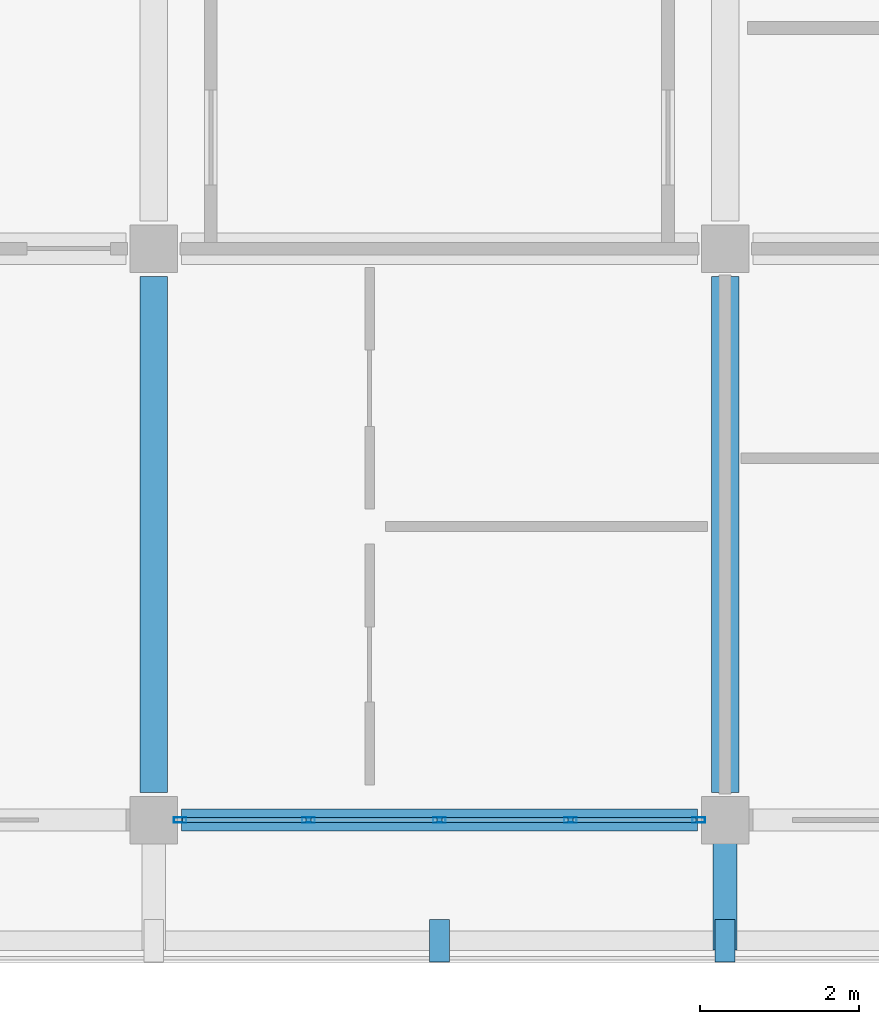
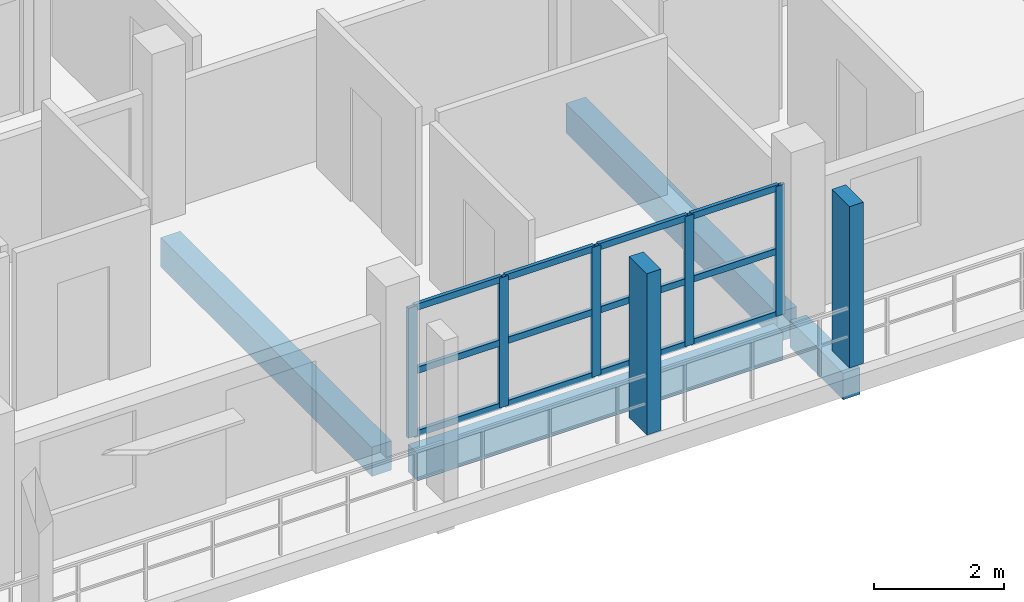
# One storey, part 20 of 157: 19 members, 4 beams, 1 element without a shape of its own.
"""IFC4 building model written with IfcOpenShell, lengths in metres."""

from ifc_helpers import new_model, si_unit, direction, frame, origin, origin_2d, place, context, subcontext, project, spatial, rectangle, hollow_rectangle, extrude, material, material_profile, profile_set, type_object, element, aggregate, save


model = new_model("IFC4")

# Units and contexts
model_context = context("Model", 3, precision=1e-05, world=origin(), true_north=direction((0.0, 1.0)))
body_context = subcontext(model_context, "Body", "Model", "MODEL_VIEW")
ifc_project = project(units=[si_unit("LENGTHUNIT", "METRE"), si_unit("AREAUNIT", "SQUARE_METRE"), si_unit("VOLUMEUNIT", "CUBIC_METRE"), si_unit("PLANEANGLEUNIT", "RADIAN"), si_unit("MASSUNIT", "GRAM", prefix="KILO")], contexts=[model_context])

# Site, building, storey
site_placement = place(None, origin())
site = spatial("IfcSite", under=ifc_project, at=site_placement, CompositionType="ELEMENT")
building_placement = place(site_placement, origin())
building = spatial("IfcBuilding", under=site, at=building_placement, Name="Suanplinth Sawtooth Commons", CompositionType="ELEMENT")
storey_placement = place(building_placement, frame((0.0, 0.0, 9.0)))
storey = spatial("IfcBuildingStorey", under=building, at=storey_placement, Name="L02", CompositionType="ELEMENT", Elevation=9.0)

# Beams
ifc_material_1 = material(Name="Precast concrete C40/50", Category="concrete")
ifc_material_profile_1 = material_profile(ifc_material_1, rectangle(XDim=0.35009765625, YDim=0.550048828125, at=origin_2d()), Name="PC-BM 350x550")
ifc_profile_set_1 = profile_set([ifc_material_profile_1], Name="Precast concrete C40/50")
beam_type_1 = type_object("IfcBeamType", Name="B-06", PredefinedType="BEAM", material=ifc_profile_set_1)
for number, where, z_axis, x_axis, name in (
    (1, (36.0, 0.35009765625, -0.52490234375), (0.0, 1.0, 0.0), (-1.0, 0.0, 0.0), "BMY-L02-D-5-0"),
    (2, (43.199951171875, 0.35009765625, -0.52490234375), (0.0, 1.0, 0.0), (-1.0, 0.0, 0.0), "BMY-L02-D-6-0"),
):
    element("IfcBeam", number, at=place(storey_placement, frame(where, z_axis=z_axis, x_axis=x_axis)), inside=storey, type_object=beam_type_1, Name=name, PredefinedType="BEAM", context=body_context, shape_type="SweptSolid", body=[
        extrude(rectangle(XDim=0.35009765625, YDim=0.550048828125, at=origin_2d()), origin(), (0.0, 0.0, 1.0), 6.5),
    ])
ifc_material_profile_2 = material_profile(ifc_material_1, rectangle(XDim=0.300048828125, YDim=0.5, at=origin_2d()), Name="PC-BM 300x500")
ifc_profile_set_2 = profile_set([ifc_material_profile_2], Name="Precast concrete C40/50")
beam_type_2 = type_object("IfcBeamType", Name="B-07", PredefinedType="BEAM", material=ifc_profile_set_2)
beam_1_placement = place(storey_placement, frame((43.199951171875, 0.0, -0.429931640625), z_axis=(0.0, -1.0, 0.0), x_axis=(1.0, 0.0, 0.0)))
element("IfcBeam", 3, at=beam_1_placement, inside=storey, type_object=beam_type_2, Name="Balcony Outrigger L02-D-S-6", PredefinedType="BEAM", context=body_context, shape_type="SweptSolid", body=[
    extrude(rectangle(XDim=0.300048828125, YDim=0.5, at=origin_2d()), origin(), (0.0, 0.0, 1.0), 1.639892578125),
])
ifc_material_profile_3 = material_profile(ifc_material_1, rectangle(XDim=0.280029296875, YDim=0.52001953125, at=origin_2d()), Name="PC-SP 280x520")
ifc_profile_set_3 = profile_set([ifc_material_profile_3], Name="Precast concrete C40/50")
beam_type_3 = type_object("IfcBeamType", Name="B-08", PredefinedType="SPANDREL", material=ifc_profile_set_3)
beam_2_placement = place(storey_placement, frame((36.35009765625, 0.0, -0.510009765625), z_axis=(1.0, 0.0, 0.0), x_axis=(0.0, 1.0, 0.0)))
element("IfcBeam", 4, at=beam_2_placement, inside=storey, type_object=beam_type_3, Name="BMX-L02-D-5-0", PredefinedType="SPANDREL", context=body_context, shape_type="SweptSolid", body=[
    extrude(rectangle(XDim=0.280029296875, YDim=0.52001953125, at=origin_2d()), origin(), (0.0, 0.0, 1.0), 6.5),
])

# Members
ifc_material_2 = material(Name="Pigmented precast concrete C40/50", Category="concrete")
ifc_material_profile_4 = material_profile(ifc_material_2, rectangle(XDim=0.25, YDim=0.5400390625, at=origin_2d()), Name="PC-FIN 250x540")
ifc_profile_set_4 = profile_set([ifc_material_profile_4], Name="Pigmented precast concrete C40/50")
member_type_1 = type_object("IfcMemberType", Name="M-11", PredefinedType="USERDEFINED", material=ifc_profile_set_4)
for number, where, z_axis, x_axis, name in (
    (5, (39.60009765625, -1.52001953125, 0.0), (0.0, 0.0, 1.0), (1.0, 0.0, 0.0), "Upright Solar Blade L02-D-S-07"),
    (6, (43.199951171875, -1.52001953125, 0.0), (0.0, 0.0, 1.0), (1.0, 0.0, 0.0), "Upright Solar Blade L02-D-S-08"),
):
    element("IfcMember", number, at=place(storey_placement, frame(where, z_axis=z_axis, x_axis=x_axis)), inside=storey, type_object=member_type_1, Name=name, ObjectType="SHADING FIN", PredefinedType="USERDEFINED", context=body_context, shape_type="SweptSolid", body=[
        extrude(rectangle(XDim=0.25, YDim=0.5400390625, at=origin_2d()), origin(), (0.0, 0.0, 1.0), 3.030029296875),
    ])

# Curtain wall, members
ifc_material_3 = material(Name="Anodized aluminium and low-E glazing", Category="aluminium")
curtain_wall_type = type_object("IfcCurtainWallType", Name="CW-06", PredefinedType="USERDEFINED", material=ifc_material_3)
curtain_wall_placement = place(storey_placement, origin())
curtain_wall = element("IfcCurtainWall", 7, at=curtain_wall_placement, inside=storey, type_object=curtain_wall_type, Name="Curtain Wall CW-L02-D-LOUNGE-5", ObjectType="CURTAIN WALL", PredefinedType="USERDEFINED")
ifc_material_4 = material(Name="Anodized aluminium 6063-T6", Category="aluminium")
ifc_material_profile_5 = material_profile(ifc_material_4, hollow_rectangle(XDim=0.06494140625, YDim=0.159912109375, WallThickness=0.00390625, at=origin_2d()), Name="ALU-MUL 65x160")
ifc_profile_set_5 = profile_set([ifc_material_profile_5], Name="Anodized aluminium 6063-T6")
member_type_2 = type_object("IfcMemberType", Name="M-13", PredefinedType="MULLION", material=ifc_profile_set_5)
member_1_placement = place(storey_placement, frame((36.33251953125, 0.0, 0.0), z_axis=(0.0, 0.0, 1.0), x_axis=(0.0, 1.0, 0.0)))
member_1 = element("IfcMember", 8, at=member_1_placement, type_object=member_type_2, Name="CW-06 mullion 1", PredefinedType="MULLION", context=body_context, shape_type="SweptSolid", body=[
    extrude(hollow_rectangle(XDim=0.06494140625, YDim=0.159912109375, WallThickness=0.00390625, at=origin_2d()), origin(), (0.0, 0.0, 1.0), 2.43994140625),
])
member_2_placement = place(storey_placement, frame((37.949951171875, 0.0, 0.0), z_axis=(0.0, 0.0, 1.0), x_axis=(0.0, 1.0, 0.0)))
member_2 = element("IfcMember", 9, at=member_2_placement, type_object=member_type_2, Name="CW-06 mullion 2", PredefinedType="MULLION", context=body_context, shape_type="SweptSolid", body=[
    extrude(hollow_rectangle(XDim=0.06494140625, YDim=0.159912109375, WallThickness=0.00390625, at=origin_2d()), origin(), (0.0, 0.0, 1.0), 2.43994140625),
])
member_3_placement = place(storey_placement, frame((39.60009765625, 0.0, 0.0), z_axis=(0.0, 0.0, 1.0), x_axis=(0.0, 1.0, 0.0)))
member_3 = element("IfcMember", 10, at=member_3_placement, type_object=member_type_2, Name="CW-06 mullion 3", PredefinedType="MULLION", context=body_context, shape_type="SweptSolid", body=[
    extrude(hollow_rectangle(XDim=0.06494140625, YDim=0.159912109375, WallThickness=0.00390625, at=origin_2d()), origin(), (0.0, 0.0, 1.0), 2.43994140625),
])
member_4_placement = place(storey_placement, frame((41.25, 0.0, 0.0), z_axis=(0.0, 0.0, 1.0), x_axis=(0.0, 1.0, 0.0)))
member_4 = element("IfcMember", 11, at=member_4_placement, type_object=member_type_2, Name="CW-06 mullion 4", PredefinedType="MULLION", context=body_context, shape_type="SweptSolid", body=[
    extrude(hollow_rectangle(XDim=0.06494140625, YDim=0.159912109375, WallThickness=0.00390625, at=origin_2d()), origin(), (0.0, 0.0, 1.0), 2.43994140625),
])
member_5_placement = place(storey_placement, frame((42.867431640625, 0.0, 0.0), z_axis=(0.0, 0.0, 1.0), x_axis=(0.0, 1.0, 0.0)))
member_5 = element("IfcMember", 12, at=member_5_placement, type_object=member_type_2, Name="CW-06 mullion 5", PredefinedType="MULLION", context=body_context, shape_type="SweptSolid", body=[
    extrude(hollow_rectangle(XDim=0.06494140625, YDim=0.159912109375, WallThickness=0.00390625, at=origin_2d()), origin(), (0.0, 0.0, 1.0), 2.43994140625),
])
ifc_material_profile_6 = material_profile(ifc_material_4, hollow_rectangle(XDim=0.06494140625, YDim=0.1201171875, WallThickness=0.00390625, at=origin_2d()), Name="ALU-TRN 65x120")
ifc_profile_set_6 = profile_set([ifc_material_profile_6], Name="Anodized aluminium 6063-T6")
member_type_3 = type_object("IfcMemberType", Name="M-15", PredefinedType="USERDEFINED", material=ifc_profile_set_6)
member_6_placement = place(storey_placement, frame((36.364990234375, 0.0, 0.032470703125), z_axis=(1.0, 0.0, 0.0), x_axis=(0.0, 1.0, 0.0)))
member_6 = element("IfcMember", 13, at=member_6_placement, type_object=member_type_3, Name="CW-06 transom 1.1", ObjectType="TRANSOM", PredefinedType="USERDEFINED", context=body_context, shape_type="SweptSolid", body=[
    extrude(hollow_rectangle(XDim=0.06494140625, YDim=0.1201171875, WallThickness=0.00390625, at=origin_2d()), origin(), (0.0, 0.0, 1.0), 1.552490234375),
])
member_7_placement = place(storey_placement, frame((36.364990234375, 0.0, 1.219970703125), z_axis=(1.0, 0.0, 0.0), x_axis=(0.0, 1.0, 0.0)))
member_7 = element("IfcMember", 14, at=member_7_placement, type_object=member_type_3, Name="CW-06 transom 1.2", ObjectType="TRANSOM", PredefinedType="USERDEFINED", context=body_context, shape_type="SweptSolid", body=[
    extrude(hollow_rectangle(XDim=0.06494140625, YDim=0.1201171875, WallThickness=0.00390625, at=origin_2d()), origin(), (0.0, 0.0, 1.0), 1.552490234375),
])
member_8_placement = place(storey_placement, frame((36.364990234375, 0.0, 2.407470703125), z_axis=(1.0, 0.0, 0.0), x_axis=(0.0, 1.0, 0.0)))
member_8 = element("IfcMember", 15, at=member_8_placement, type_object=member_type_3, Name="CW-06 transom 1.3", ObjectType="TRANSOM", PredefinedType="USERDEFINED", context=body_context, shape_type="SweptSolid", body=[
    extrude(hollow_rectangle(XDim=0.06494140625, YDim=0.1201171875, WallThickness=0.00390625, at=origin_2d()), origin(), (0.0, 0.0, 1.0), 1.552490234375),
])
member_9_placement = place(storey_placement, frame((37.982421875, 0.0, 0.032470703125), z_axis=(1.0, 0.0, 0.0), x_axis=(0.0, 1.0, 0.0)))
member_9 = element("IfcMember", 16, at=member_9_placement, type_object=member_type_3, Name="CW-06 transom 2.1", ObjectType="TRANSOM", PredefinedType="USERDEFINED", context=body_context, shape_type="SweptSolid", body=[
    extrude(hollow_rectangle(XDim=0.06494140625, YDim=0.1201171875, WallThickness=0.00390625, at=origin_2d()), origin(), (0.0, 0.0, 1.0), 1.5849609375),
])
member_10_placement = place(storey_placement, frame((37.982421875, 0.0, 1.219970703125), z_axis=(1.0, 0.0, 0.0), x_axis=(0.0, 1.0, 0.0)))
member_10 = element("IfcMember", 17, at=member_10_placement, type_object=member_type_3, Name="CW-06 transom 2.2", ObjectType="TRANSOM", PredefinedType="USERDEFINED", context=body_context, shape_type="SweptSolid", body=[
    extrude(hollow_rectangle(XDim=0.06494140625, YDim=0.1201171875, WallThickness=0.00390625, at=origin_2d()), origin(), (0.0, 0.0, 1.0), 1.5849609375),
])
member_11_placement = place(storey_placement, frame((37.982421875, 0.0, 2.407470703125), z_axis=(1.0, 0.0, 0.0), x_axis=(0.0, 1.0, 0.0)))
member_11 = element("IfcMember", 18, at=member_11_placement, type_object=member_type_3, Name="CW-06 transom 2.3", ObjectType="TRANSOM", PredefinedType="USERDEFINED", context=body_context, shape_type="SweptSolid", body=[
    extrude(hollow_rectangle(XDim=0.06494140625, YDim=0.1201171875, WallThickness=0.00390625, at=origin_2d()), origin(), (0.0, 0.0, 1.0), 1.5849609375),
])
member_12_placement = place(storey_placement, frame((39.632568359375, 0.0, 0.032470703125), z_axis=(1.0, 0.0, 0.0), x_axis=(0.0, 1.0, 0.0)))
member_12 = element("IfcMember", 19, at=member_12_placement, type_object=member_type_3, Name="CW-06 transom 3.1", ObjectType="TRANSOM", PredefinedType="USERDEFINED", context=body_context, shape_type="SweptSolid", body=[
    extrude(hollow_rectangle(XDim=0.06494140625, YDim=0.1201171875, WallThickness=0.00390625, at=origin_2d()), origin(), (0.0, 0.0, 1.0), 1.5849609375),
])
member_13_placement = place(storey_placement, frame((39.632568359375, 0.0, 1.219970703125), z_axis=(1.0, 0.0, 0.0), x_axis=(0.0, 1.0, 0.0)))
member_13 = element("IfcMember", 20, at=member_13_placement, type_object=member_type_3, Name="CW-06 transom 3.2", ObjectType="TRANSOM", PredefinedType="USERDEFINED", context=body_context, shape_type="SweptSolid", body=[
    extrude(hollow_rectangle(XDim=0.06494140625, YDim=0.1201171875, WallThickness=0.00390625, at=origin_2d()), origin(), (0.0, 0.0, 1.0), 1.5849609375),
])
member_14_placement = place(storey_placement, frame((39.632568359375, 0.0, 2.407470703125), z_axis=(1.0, 0.0, 0.0), x_axis=(0.0, 1.0, 0.0)))
member_14 = element("IfcMember", 21, at=member_14_placement, type_object=member_type_3, Name="CW-06 transom 3.3", ObjectType="TRANSOM", PredefinedType="USERDEFINED", context=body_context, shape_type="SweptSolid", body=[
    extrude(hollow_rectangle(XDim=0.06494140625, YDim=0.1201171875, WallThickness=0.00390625, at=origin_2d()), origin(), (0.0, 0.0, 1.0), 1.5849609375),
])
member_15_placement = place(storey_placement, frame((41.282470703125, 0.0, 0.032470703125), z_axis=(1.0, 0.0, 0.0), x_axis=(0.0, 1.0, 0.0)))
member_15 = element("IfcMember", 22, at=member_15_placement, type_object=member_type_3, Name="CW-06 transom 4.1", ObjectType="TRANSOM", PredefinedType="USERDEFINED", context=body_context, shape_type="SweptSolid", body=[
    extrude(hollow_rectangle(XDim=0.06494140625, YDim=0.1201171875, WallThickness=0.00390625, at=origin_2d()), origin(), (0.0, 0.0, 1.0), 1.552490234375),
])
member_16_placement = place(storey_placement, frame((41.282470703125, 0.0, 1.219970703125), z_axis=(1.0, 0.0, 0.0), x_axis=(0.0, 1.0, 0.0)))
member_16 = element("IfcMember", 23, at=member_16_placement, type_object=member_type_3, Name="CW-06 transom 4.2", ObjectType="TRANSOM", PredefinedType="USERDEFINED", context=body_context, shape_type="SweptSolid", body=[
    extrude(hollow_rectangle(XDim=0.06494140625, YDim=0.1201171875, WallThickness=0.00390625, at=origin_2d()), origin(), (0.0, 0.0, 1.0), 1.552490234375),
])
member_17_placement = place(storey_placement, frame((41.282470703125, 0.0, 2.407470703125), z_axis=(1.0, 0.0, 0.0), x_axis=(0.0, 1.0, 0.0)))
member_17 = element("IfcMember", 24, at=member_17_placement, type_object=member_type_3, Name="CW-06 transom 4.3", ObjectType="TRANSOM", PredefinedType="USERDEFINED", context=body_context, shape_type="SweptSolid", body=[
    extrude(hollow_rectangle(XDim=0.06494140625, YDim=0.1201171875, WallThickness=0.00390625, at=origin_2d()), origin(), (0.0, 0.0, 1.0), 1.552490234375),
])
aggregate(curtain_wall, [member_1, member_2, member_3, member_4, member_5, member_6, member_7, member_8, member_9, member_10, member_11, member_12, member_13, member_14, member_15, member_16, member_17])

save(model, "model.ifc")
